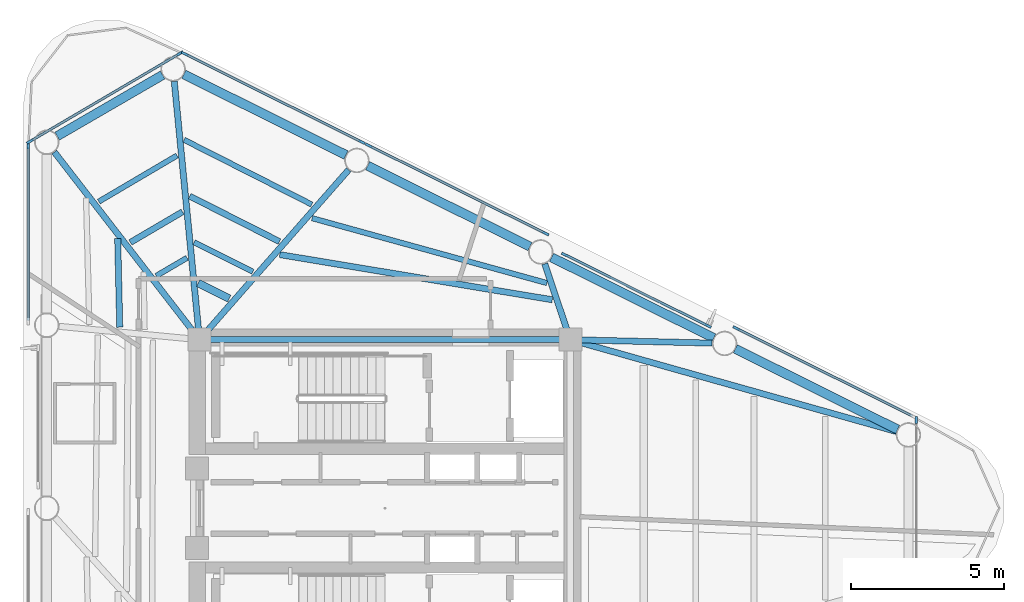
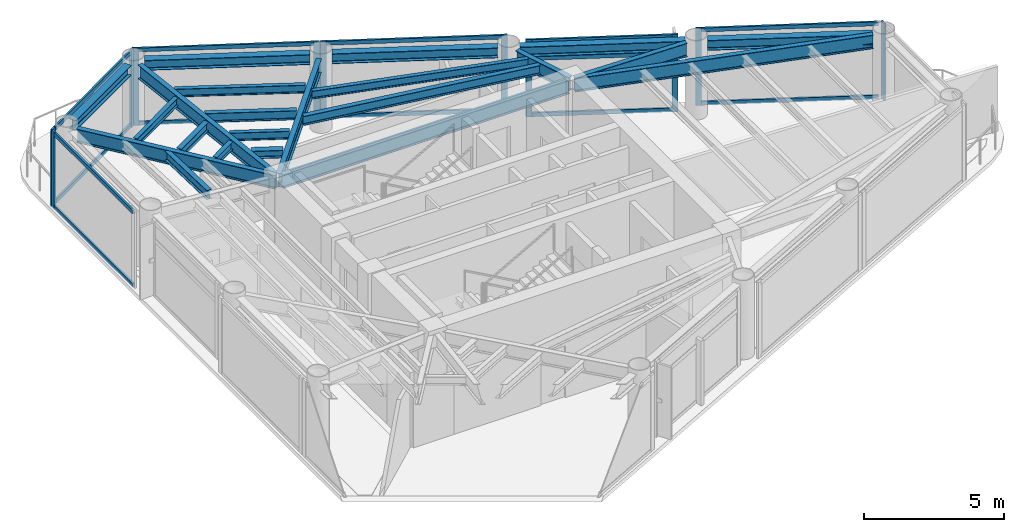
# One storey, part 3 of 10: 24 members, 22 beams, 7 elements without a shape of their own.
"""IFC4 building model written with IfcOpenShell, lengths in metres."""

from ifc_helpers import new_model, si_unit, direction, frame, origin, origin_2d, place, context, subcontext, project, spatial, rectangle, i_section, extrude, source, transform, mapped, material, layer, layer_set, material_profile, profile_set, type_object, element, aggregate, save


model = new_model("IFC4")

# Units and contexts
model_context = context("Model", 3, precision=1e-05, world=origin(), true_north=direction((0.0, 1.0)))
body_context = subcontext(model_context, "Body", "Model", "MODEL_VIEW")
ifc_project = project(units=[si_unit("LENGTHUNIT", "METRE"), si_unit("AREAUNIT", "SQUARE_METRE"), si_unit("VOLUMEUNIT", "CUBIC_METRE"), si_unit("PLANEANGLEUNIT", "RADIAN"), si_unit("MASSUNIT", "GRAM", prefix="KILO")], contexts=[model_context])

# Site, building, storey
site_placement = place(None, origin())
site = spatial("IfcSite", under=ifc_project, at=site_placement, CompositionType="ELEMENT")
building_placement = place(site_placement, origin())
building = spatial("IfcBuilding", under=site, at=building_placement, Name="Yunling Apex Tower", CompositionType="ELEMENT")
storey_placement = place(building_placement, frame((0.0, 0.0, 289.85009765625)))
storey = spatial("IfcBuildingStorey", under=building, at=storey_placement, Name="L70", CompositionType="ELEMENT", Elevation=289.85009765625)

# Beams
ifc_material_1 = material(Name="Steel Q355B", Category="steel")
ifc_material_profile_1 = material_profile(ifc_material_1, i_section(OverallWidth=0.199951171875, OverallDepth=0.60009765625, WebThickness=0.010986328125, FlangeThickness=0.01708984375, FilletRadius=0.02197265625, at=origin_2d()))
ifc_profile_set_1 = profile_set([ifc_material_profile_1], Name="Steel Q355B")
beam_type_1 = type_object("IfcBeamType", Name="BG-PRI-5", PredefinedType="USERDEFINED", material=ifc_profile_set_1)
shared_shape_1 = source(origin(), body_context, "Body", "SweptSolid", [
    extrude(i_section(OverallWidth=0.199951171875, OverallDepth=0.60009765625, WebThickness=0.010986328125, FlangeThickness=0.01708984375, FilletRadius=0.02197265625, at=origin_2d()), origin(), (0.0, 0.0, 1.0), 11.7998046875),
])
beam_1_placement = place(storey_placement, frame((5.89990234375, 5.5, 2.969970703125), z_axis=(-1.0, 0.0, 0.0), x_axis=(0.0, -1.0, 0.0)))
element("IfcBeam", 1, at=beam_1_placement, inside=storey, type_object=beam_type_1, Name="L70 Core Ring Tie Beam 3", ObjectType="GIRDER", PredefinedType="USERDEFINED", context=body_context, shape_type="MappedRepresentation", body=[
    mapped(shared_shape_1, transform((0.0, 0.0, 0.0), scale=1.0)),
])
ifc_material_profile_2 = material_profile(ifc_material_1, i_section(OverallWidth=0.300048828125, OverallDepth=0.43994140625, WebThickness=0.010986328125, FlangeThickness=0.01806640625, FilletRadius=0.02197265625, at=origin_2d()))
ifc_profile_set_2 = profile_set([ifc_material_profile_2], Name="Steel Q355B")
beam_type_2 = type_object("IfcBeamType", Name="BP-SPN-3", PredefinedType="SPANDREL", material=ifc_profile_set_2)
shared_shape_2 = source(origin(), body_context, "Body", "SweptSolid", [
    extrude(i_section(OverallWidth=0.300048828125, OverallDepth=0.43994140625, WebThickness=0.010986328125, FlangeThickness=0.01806640625, FilletRadius=0.02197265625, at=origin_2d()), origin(), (0.0, 0.0, 1.0), 5.914306640625),
])
for number, where, z_axis, x_axis, name in (
    (2, (4.733642578125, 8.539794921875, 3.0498046875), (-0.895267705164, 0.445528602999, 0.0), (-0.445528602999, -0.895267705164, 0.0), "L70 Perimeter Spandrel Beam 8"),
    (3, (-1.2666015625, 11.52587890625, 3.0498046875), (-0.895243044542, 0.445578153861, 0.0), (-0.445578153861, -0.895243044542, 0.0), "L70 Perimeter Spandrel Beam 9"),
):
    element("IfcBeam", number, at=place(storey_placement, frame(where, z_axis=z_axis, x_axis=x_axis)), inside=storey, type_object=beam_type_2, Name=name, PredefinedType="SPANDREL", context=body_context, shape_type="MappedRepresentation", body=[
        mapped(shared_shape_2, transform((0.0, 0.0, 0.0), scale=1.0)),
    ])
shared_shape_3 = source(origin(), body_context, "Body", "SweptSolid", [
    extrude(i_section(OverallWidth=0.300048828125, OverallDepth=0.43994140625, WebThickness=0.010986328125, FlangeThickness=0.01806640625, FilletRadius=0.02197265625, at=origin_2d()), origin(), (0.0, 0.0, 1.0), 5.9140625),
])
for number, where, z_axis, x_axis, name in (
    (4, (16.73388671875, 2.567138671875, 3.0498046875), (-0.895259510924, 0.445545068539, 0.0), (-0.445545068539, -0.895259510924, 0.0), "L70 Perimeter Spandrel Beam 6"),
    (5, (10.733642578125, 5.553466796875, 3.0498046875), (-0.895259510924, 0.445545068539, 0.0), (-0.445545068539, -0.895259510924, 0.0), "L70 Perimeter Spandrel Beam 7"),
):
    element("IfcBeam", number, at=place(storey_placement, frame(where, z_axis=z_axis, x_axis=x_axis)), inside=storey, type_object=beam_type_2, Name=name, PredefinedType="SPANDREL", context=body_context, shape_type="MappedRepresentation", body=[
        mapped(shared_shape_3, transform((0.0, 0.0, 0.0), scale=1.0)),
    ])
shared_shape_4 = source(origin(), body_context, "Body", "SweptSolid", [
    extrude(i_section(OverallWidth=0.300048828125, OverallDepth=0.43994140625, WebThickness=0.010986328125, FlangeThickness=0.01806640625, FilletRadius=0.02197265625, at=origin_2d()), origin(), (0.0, 0.0, 1.0), 3.978515625),
])
beam_2_placement = place(storey_placement, frame((-7.2548828125, 14.138916015625, 3.0498046875), z_axis=(-0.865064744393, -0.501660231639, 0.0), x_axis=(0.501660231639, -0.865064744393, 0.0)))
element("IfcBeam", 6, at=beam_2_placement, inside=storey, type_object=beam_type_2, Name="L70 Perimeter Spandrel Beam 10", PredefinedType="SPANDREL", context=body_context, shape_type="MappedRepresentation", body=[
    mapped(shared_shape_4, transform((0.0, 0.0, 0.0), scale=1.0)),
])
shared_shape_5 = source(origin(), body_context, "Body", "SweptSolid", [
    extrude(i_section(OverallWidth=0.199951171875, OverallDepth=0.60009765625, WebThickness=0.010986328125, FlangeThickness=0.01708984375, FilletRadius=0.02197265625, at=origin_2d()), origin(), (0.0, 0.0, 1.0), 8.390869140625),
])
beam_3_placement = place(storey_placement, frame((-6.874267578125, 13.9306640625, 2.969970703125), z_axis=(0.097296792844, -0.995255411491, 0.0), x_axis=(0.995255411491, 0.097296792844, 0.0)))
element("IfcBeam", 7, at=beam_3_placement, inside=storey, type_object=beam_type_1, Name="L70 Radial Primary Girder R10", ObjectType="GIRDER", PredefinedType="USERDEFINED", context=body_context, shape_type="MappedRepresentation", body=[
    mapped(shared_shape_5, transform((0.0, 0.0, 0.0), scale=1.0)),
])
shared_shape_6 = source(origin(), body_context, "Body", "SweptSolid", [
    extrude(i_section(OverallWidth=0.199951171875, OverallDepth=0.60009765625, WebThickness=0.010986328125, FlangeThickness=0.01708984375, FilletRadius=0.02197265625, at=origin_2d()), origin(), (0.0, 0.0, 1.0), 7.297119140625),
])
beam_4_placement = place(storey_placement, frame((-1.18310546875, 11.043701171875, 2.969970703125), z_axis=(-0.659747259747, -0.751487560281, 0.0), x_axis=(0.751487560281, -0.659747259747, 0.0)))
element("IfcBeam", 8, at=beam_4_placement, inside=storey, type_object=beam_type_1, Name="L70 Radial Primary Girder R09", ObjectType="GIRDER", PredefinedType="USERDEFINED", context=body_context, shape_type="MappedRepresentation", body=[
    mapped(shared_shape_6, transform((0.0, 0.0, 0.0), scale=1.0)),
])
shared_shape_7 = source(origin(), body_context, "Body", "SweptSolid", [
    extrude(i_section(OverallWidth=0.199951171875, OverallDepth=0.60009765625, WebThickness=0.010986328125, FlangeThickness=0.01708984375, FilletRadius=0.02197265625, at=origin_2d()), origin(), (0.0, 0.0, 1.0), 2.533935546875),
])
beam_5_placement = place(storey_placement, frame((5.21630859375, 7.977294921875, 2.969970703125), z_axis=(0.318914628896, -0.947783445454, 0.0), x_axis=(0.947783445454, 0.318914628896, 0.0)))
element("IfcBeam", 9, at=beam_5_placement, inside=storey, type_object=beam_type_1, Name="L70 Radial Primary Girder R08", ObjectType="GIRDER", PredefinedType="USERDEFINED", context=body_context, shape_type="MappedRepresentation", body=[
    mapped(shared_shape_7, transform((0.0, 0.0, 0.0), scale=1.0)),
])
shared_shape_8 = source(origin(), body_context, "Body", "SweptSolid", [
    extrude(i_section(OverallWidth=0.199951171875, OverallDepth=0.60009765625, WebThickness=0.010986328125, FlangeThickness=0.01708984375, FilletRadius=0.02197265625, at=origin_2d()), origin(), (0.0, 0.0, 1.0), 4.5498046875),
])
beam_6_placement = place(storey_placement, frame((10.678466796875, 5.3876953125, 2.969970703125), z_axis=(-0.999705840498, 0.024253504369, 0.0), x_axis=(-0.024253504369, -0.999705840498, 0.0)))
element("IfcBeam", 10, at=beam_6_placement, inside=storey, type_object=beam_type_1, Name="L70 Radial Primary Girder R07", ObjectType="GIRDER", PredefinedType="USERDEFINED", context=body_context, shape_type="MappedRepresentation", body=[
    mapped(shared_shape_8, transform((0.0, 0.0, 0.0), scale=1.0)),
])
shared_shape_9 = source(origin(), body_context, "Body", "SweptSolid", [
    extrude(i_section(OverallWidth=0.199951171875, OverallDepth=0.60009765625, WebThickness=0.010986328125, FlangeThickness=0.01708984375, FilletRadius=0.02197265625, at=origin_2d()), origin(), (0.0, 0.0, 1.0), 10.97802734375),
])
beam_7_placement = place(storey_placement, frame((16.69384765625, 2.502197265625, 2.969970703125), z_axis=(-0.962552702816, 0.271094622414, 0.0), x_axis=(-0.271094622414, -0.962552702816, 0.0)))
element("IfcBeam", 11, at=beam_7_placement, inside=storey, type_object=beam_type_1, Name="L70 Radial Primary Girder R06", ObjectType="GIRDER", PredefinedType="USERDEFINED", context=body_context, shape_type="MappedRepresentation", body=[
    mapped(shared_shape_9, transform((0.0, 0.0, 0.0), scale=1.0)),
])
shared_shape_10 = source(origin(), body_context, "Body", "SweptSolid", [
    extrude(i_section(OverallWidth=0.199951171875, OverallDepth=0.60009765625, WebThickness=0.010986328125, FlangeThickness=0.01708984375, FilletRadius=0.02197265625, at=origin_2d()), origin(), (0.0, 0.0, 1.0), 7.661376953125),
])
beam_8_placement = place(storey_placement, frame((-10.78759765625, 11.62255859375, 2.969970703125), z_axis=(0.611959789037, -0.790888877531, 0.0), x_axis=(0.790888877531, 0.611959789037, 0.0)))
element("IfcBeam", 12, at=beam_8_placement, inside=storey, type_object=beam_type_1, Name="L70 Radial Primary Girder R11", ObjectType="GIRDER", PredefinedType="USERDEFINED", context=body_context, shape_type="MappedRepresentation", body=[
    mapped(shared_shape_10, transform((0.0, 0.0, 0.0), scale=1.0)),
])
ifc_material_profile_3 = material_profile(ifc_material_1, i_section(OverallWidth=0.199951171875, OverallDepth=0.39990234375, WebThickness=0.008056640625, FlangeThickness=0.012939453125, FilletRadius=0.01611328125, at=origin_2d()))
ifc_profile_set_3 = profile_set([ifc_material_profile_3], Name="Steel Q355B")
beam_type_3 = type_object("IfcBeamType", Name="BS-SEC-4", PredefinedType="BEAM", material=ifc_profile_set_3)
shared_shape_11 = source(origin(), body_context, "Body", "SweptSolid", [
    extrude(i_section(OverallWidth=0.199951171875, OverallDepth=0.39990234375, WebThickness=0.008056640625, FlangeThickness=0.012939453125, FilletRadius=0.01611328125, at=origin_2d()), origin(), (0.0, 0.0, 1.0), 3.281494140625),
])
beam_9_placement = place(storey_placement, frame((-3.444091796875, 8.703125, 3.06982421875), z_axis=(-0.892364297468, 0.451315810275, 0.0), x_axis=(-0.451315810275, -0.892364297468, 0.0)))
element("IfcBeam", 13, at=beam_9_placement, inside=storey, type_object=beam_type_3, Name="L70 Composite Floor Beam BS-9", PredefinedType="BEAM", context=body_context, shape_type="MappedRepresentation", body=[
    mapped(shared_shape_11, transform((0.0, 0.0, 0.0), scale=1.0)),
])
ifc_material_profile_4 = material_profile(ifc_material_1, i_section(OverallWidth=0.175048828125, OverallDepth=0.35009765625, WebThickness=0.007080078125, FlangeThickness=0.010986328125, FilletRadius=0.013916015625, at=origin_2d()))
ifc_profile_set_4 = profile_set([ifc_material_profile_4], Name="Steel Q355B")
beam_type_4 = type_object("IfcBeamType", Name="BJ-JST-1", PredefinedType="JOIST", material=ifc_profile_set_4)
shared_shape_12 = source(origin(), body_context, "Body", "SweptSolid", [
    extrude(i_section(OverallWidth=0.175048828125, OverallDepth=0.35009765625, WebThickness=0.007080078125, FlangeThickness=0.010986328125, FilletRadius=0.013916015625, at=origin_2d()), origin(), (0.0, 0.0, 1.0), 4.67138671875),
])
beam_10_placement = place(storey_placement, frame((-2.385009765625, 9.90966796875, 3.094970703125), z_axis=(-0.892031280848, 0.45197366515, 0.0), x_axis=(-0.45197366515, -0.892031280848, 0.0)))
element("IfcBeam", 14, at=beam_10_placement, inside=storey, type_object=beam_type_4, Name="L70 Composite Floor Joist BJ1-9", PredefinedType="JOIST", context=body_context, shape_type="MappedRepresentation", body=[
    mapped(shared_shape_12, transform((0.0, 0.0, 0.0), scale=1.0)),
])
shared_shape_13 = source(origin(), body_context, "Body", "SweptSolid", [
    extrude(i_section(OverallWidth=0.175048828125, OverallDepth=0.35009765625, WebThickness=0.007080078125, FlangeThickness=0.010986328125, FilletRadius=0.013916015625, at=origin_2d()), origin(), (0.0, 0.0, 1.0), 2.143798828125),
])
beam_11_placement = place(storey_placement, frame((-4.310791015625, 7.7158203125, 3.094970703125), z_axis=(-0.892941835578, 0.45017205408, 0.0), x_axis=(-0.45017205408, -0.892941835578, 0.0)))
element("IfcBeam", 15, at=beam_11_placement, inside=storey, type_object=beam_type_4, Name="L70 Composite Floor Joist BJ3-9", PredefinedType="JOIST", context=body_context, shape_type="MappedRepresentation", body=[
    mapped(shared_shape_13, transform((0.0, 0.0, 0.0), scale=1.0)),
])
ifc_material_profile_5 = material_profile(ifc_material_1, i_section(OverallWidth=0.25, OverallDepth=0.340087890625, WebThickness=0.009033203125, FlangeThickness=0.013916015625, FilletRadius=0.01806640625, at=origin_2d()))
ifc_profile_set_5 = profile_set([ifc_material_profile_5], Name="Steel Q355B")
beam_type_5 = type_object("IfcBeamType", Name="BJ-JST-2", PredefinedType="JOIST", material=ifc_profile_set_5)
shared_shape_14 = source(origin(), body_context, "Body", "SweptSolid", [
    extrude(i_section(OverallWidth=0.25, OverallDepth=0.340087890625, WebThickness=0.009033203125, FlangeThickness=0.013916015625, FilletRadius=0.01806640625, at=origin_2d()), origin(), (0.0, 0.0, 1.0), 1.1328125),
])
beam_12_placement = place(storey_placement, frame((-5.081298828125, 6.838134765625, 3.099853515625), z_axis=(-0.894211562533, 0.447644592765, 0.0), x_axis=(-0.447644592765, -0.894211562533, 0.0)))
element("IfcBeam", 16, at=beam_12_placement, inside=storey, type_object=beam_type_5, Name="L70 Composite Floor Joist BJ2-9", PredefinedType="JOIST", context=body_context, shape_type="MappedRepresentation", body=[
    mapped(shared_shape_14, transform((0.0, 0.0, 0.0), scale=1.0)),
])
shared_shape_15 = source(origin(), body_context, "Body", "SweptSolid", [
    extrude(i_section(OverallWidth=0.199951171875, OverallDepth=0.39990234375, WebThickness=0.008056640625, FlangeThickness=0.012939453125, FilletRadius=0.01611328125, at=origin_2d()), origin(), (0.0, 0.0, 1.0), 9.01611328125),
])
beam_13_placement = place(storey_placement, frame((5.462646484375, 6.802734375, 3.06982421875), z_axis=(-0.986561729833, 0.163388962996, 0.0), x_axis=(-0.163388962996, -0.986561729833, 0.0)))
element("IfcBeam", 17, at=beam_13_placement, inside=storey, type_object=beam_type_3, Name="L70 Composite Floor Beam BS-8", PredefinedType="BEAM", context=body_context, shape_type="MappedRepresentation", body=[
    mapped(shared_shape_15, transform((0.0, 0.0, 0.0), scale=1.0)),
])
shared_shape_16 = source(origin(), body_context, "Body", "SweptSolid", [
    extrude(i_section(OverallWidth=0.175048828125, OverallDepth=0.35009765625, WebThickness=0.007080078125, FlangeThickness=0.010986328125, FilletRadius=0.013916015625, at=origin_2d()), origin(), (0.0, 0.0, 1.0), 7.952392578125),
])
beam_14_placement = place(storey_placement, frame((5.288330078125, 7.34765625, 3.094970703125), z_axis=(-0.963874198485, 0.266357897377, 0.0), x_axis=(-0.266357897377, -0.963874198485, 0.0)))
element("IfcBeam", 18, at=beam_14_placement, inside=storey, type_object=beam_type_4, Name="L70 Composite Floor Joist BJ1-8", PredefinedType="JOIST", context=body_context, shape_type="MappedRepresentation", body=[
    mapped(shared_shape_16, transform((0.0, 0.0, 0.0), scale=1.0)),
])
shared_shape_17 = source(origin(), body_context, "Body", "SweptSolid", [
    extrude(i_section(OverallWidth=0.199951171875, OverallDepth=0.39990234375, WebThickness=0.008056640625, FlangeThickness=0.012939453125, FilletRadius=0.01611328125, at=origin_2d()), origin(), (0.0, 0.0, 1.0), 1.9736328125),
])
beam_15_placement = place(storey_placement, frame((-6.60400390625, 9.674072265625, 3.06982421875), z_axis=(-0.862118606545, -0.506706530694, 0.0), x_axis=(0.506706530694, -0.862118606545, 0.0)))
element("IfcBeam", 19, at=beam_15_placement, inside=storey, type_object=beam_type_3, Name="L70 Composite Floor Beam BS-10", PredefinedType="BEAM", context=body_context, shape_type="MappedRepresentation", body=[
    mapped(shared_shape_17, transform((0.0, 0.0, 0.0), scale=1.0)),
])
shared_shape_18 = source(origin(), body_context, "Body", "SweptSolid", [
    extrude(i_section(OverallWidth=0.175048828125, OverallDepth=0.35009765625, WebThickness=0.007080078125, FlangeThickness=0.010986328125, FilletRadius=0.013916015625, at=origin_2d()), origin(), (0.0, 0.0, 1.0), 2.96337890625),
])
beam_16_placement = place(storey_placement, frame((-6.783447265625, 11.510986328125, 3.094970703125), z_axis=(-0.861658767358, -0.507488097038, 0.0), x_axis=(0.507488097038, -0.861658767358, 0.0)))
element("IfcBeam", 20, at=beam_16_placement, inside=storey, type_object=beam_type_4, Name="L70 Composite Floor Joist BJ1-10", PredefinedType="JOIST", context=body_context, shape_type="MappedRepresentation", body=[
    mapped(shared_shape_18, transform((0.0, 0.0, 0.0), scale=1.0)),
])
shared_shape_19 = source(origin(), body_context, "Body", "SweptSolid", [
    extrude(i_section(OverallWidth=0.175048828125, OverallDepth=0.35009765625, WebThickness=0.007080078125, FlangeThickness=0.010986328125, FilletRadius=0.013916015625, at=origin_2d()), origin(), (0.0, 0.0, 1.0), 1.16357421875),
])
beam_17_placement = place(storey_placement, frame((-6.457275390625, 8.171142578125, 3.094970703125), z_axis=(-0.862833680606, -0.50548792232, 0.0), x_axis=(0.50548792232, -0.862833680606, 0.0)))
element("IfcBeam", 21, at=beam_17_placement, inside=storey, type_object=beam_type_4, Name="L70 Composite Floor Joist BJ3-10", PredefinedType="JOIST", context=body_context, shape_type="MappedRepresentation", body=[
    mapped(shared_shape_19, transform((0.0, 0.0, 0.0), scale=1.0)),
])
shared_shape_20 = source(origin(), body_context, "Body", "SweptSolid", [
    extrude(i_section(OverallWidth=0.199951171875, OverallDepth=0.39990234375, WebThickness=0.008056640625, FlangeThickness=0.012939453125, FilletRadius=0.01611328125, at=origin_2d()), origin(), (0.0, 0.0, 1.0), 2.890869140625),
])
beam_18_placement = place(storey_placement, frame((-8.720947265625, 8.796630859375, 3.06982421875), z_axis=(0.023139604217, -0.999732243512, 0.0), x_axis=(0.999732243512, 0.023139604217, 0.0)))
element("IfcBeam", 22, at=beam_18_placement, inside=storey, type_object=beam_type_3, Name="L70 Composite Floor Beam BS-11", PredefinedType="BEAM", context=body_context, shape_type="MappedRepresentation", body=[
    mapped(shared_shape_20, transform((0.0, 0.0, 0.0), scale=1.0)),
])

# Curtain wall, member
ifc_material_2 = material(Name="Bronze anodised aluminium", Category="aluminium")
ifc_layer = layer(ifc_material_2, 0.219970703125)
ifc_layer_set = layer_set([ifc_layer], Name="Bronze anodised aluminium")
curtain_wall_type = type_object("IfcCurtainWallType", Name="CW-SYS-4", PredefinedType="NOTDEFINED", material=ifc_layer_set)
curtain_wall_1_placement = place(storey_placement, origin())
curtain_wall_1 = element("IfcCurtainWall", 23, at=curtain_wall_1_placement, inside=storey, type_object=curtain_wall_type, Name="CW-L70-CRN1", PredefinedType="NOTDEFINED")
ifc_material_profile_6 = material_profile(ifc_material_2, rectangle(XDim=0.080078125, YDim=0.219970703125, at=origin_2d()))
ifc_profile_set_6 = profile_set([ifc_material_profile_6], Name="Bronze anodised aluminium")
member_type_1 = type_object("IfcMemberType", Name="CW-MUL-4", PredefinedType="MULLION", material=ifc_profile_set_6)
shared_shape_21 = source(origin(), body_context, "Body", "SweptSolid", [
    extrude(rectangle(XDim=0.080078125, YDim=0.219970703125, at=origin_2d()), origin(), (0.0, 0.0, 1.0), 3.369873046875),
])
member_1_placement = place(storey_placement, frame((17.349365234375, 2.879638671875, -0.050048828125), z_axis=(0.0, 0.0, 1.0), x_axis=(-1.0, 0.0, 0.0)))
member_1 = element("IfcMember", 24, at=member_1_placement, type_object=member_type_1, Name="CW-SYS-4 mullion 2", PredefinedType="MULLION", context=body_context, shape_type="MappedRepresentation", body=[
    mapped(shared_shape_21, transform((0.0, 0.0, 0.0), scale=1.0)),
])
aggregate(curtain_wall_1, [member_1])

curtain_wall_2_placement = place(storey_placement, origin())
curtain_wall_2 = element("IfcCurtainWall", 25, at=curtain_wall_2_placement, inside=storey, type_object=curtain_wall_type, Name="CW-L70-F2-B1", PredefinedType="NOTDEFINED")
member_2_placement = place(storey_placement, frame((11.465576171875, 5.870361328125, -0.050048828125), z_axis=(0.0, 0.0, 1.0), x_axis=(-0.445568135078, -0.895248030996, 0.0)))
member_2 = element("IfcMember", 26, at=member_2_placement, type_object=member_type_1, Name="CW-SYS-4 mullion 2", PredefinedType="MULLION", context=body_context, shape_type="MappedRepresentation", body=[
    mapped(shared_shape_21, transform((0.0, 0.0, 0.0), scale=1.0)),
])

# Curtain wall, members
curtain_wall_3_placement = place(storey_placement, origin())
curtain_wall_3 = element("IfcCurtainWall", 27, at=curtain_wall_3_placement, inside=storey, type_object=curtain_wall_type, Name="CW-L70-F2-B2", PredefinedType="NOTDEFINED")
member_3_placement = place(storey_placement, frame((10.544189453125, 5.94921875, -0.050048828125), z_axis=(0.0, 0.0, 1.0), x_axis=(-0.445583360305, -0.895240453185, 0.0)))
member_3 = element("IfcMember", 28, at=member_3_placement, type_object=member_type_1, Name="CW-SYS-4 mullion 1", PredefinedType="MULLION", context=body_context, shape_type="MappedRepresentation", body=[
    mapped(shared_shape_21, transform((0.0, 0.0, 0.0), scale=1.0)),
])
member_4_placement = place(storey_placement, frame((5.869140625, 8.276123046875, -0.050048828125), z_axis=(0.0, 0.0, 1.0), x_axis=(-0.445583360305, -0.895240453185, 0.0)))
member_4 = element("IfcMember", 29, at=member_4_placement, type_object=member_type_1, Name="CW-SYS-4 mullion 2", PredefinedType="MULLION", context=body_context, shape_type="MappedRepresentation", body=[
    mapped(shared_shape_21, transform((0.0, 0.0, 0.0), scale=1.0)),
])

curtain_wall_4_placement = place(storey_placement, origin())
curtain_wall_4 = element("IfcCurtainWall", 30, at=curtain_wall_4_placement, inside=storey, type_object=curtain_wall_type, Name="CW-L70-F2-B3", PredefinedType="NOTDEFINED")
member_5_placement = place(storey_placement, frame((5.250732421875, 8.963623046875, -0.050048828125), z_axis=(0.0, 0.0, 1.0), x_axis=(-0.445562037917, -0.895251065549, 0.0)))
member_5 = element("IfcMember", 31, at=member_5_placement, type_object=member_type_1, Name="CW-SYS-4 mullion 1", PredefinedType="MULLION", context=body_context, shape_type="MappedRepresentation", body=[
    mapped(shared_shape_21, transform((0.0, 0.0, 0.0), scale=1.0)),
])
member_6_placement = place(storey_placement, frame((-0.53466796875, 11.843017578125, -0.050048828125), z_axis=(0.0, 0.0, 1.0), x_axis=(-0.445562037917, -0.895251065549, 0.0)))
member_6 = element("IfcMember", 32, at=member_6_placement, type_object=member_type_1, Name="CW-SYS-4 mullion 2", PredefinedType="MULLION", context=body_context, shape_type="MappedRepresentation", body=[
    mapped(shared_shape_21, transform((0.0, 0.0, 0.0), scale=1.0)),
])

curtain_wall_5_placement = place(storey_placement, origin())
curtain_wall_5 = element("IfcCurtainWall", 33, at=curtain_wall_5_placement, inside=storey, type_object=curtain_wall_type, Name="CW-L70-F2-B4", PredefinedType="NOTDEFINED")
member_7_placement = place(storey_placement, frame((-0.74951171875, 11.949951171875, -0.050048828125), z_axis=(0.0, 0.0, 1.0), x_axis=(-0.445568135078, -0.895248030996, 0.0)))
member_7 = element("IfcMember", 34, at=member_7_placement, type_object=member_type_1, Name="CW-SYS-4 mullion 1", PredefinedType="MULLION", context=body_context, shape_type="MappedRepresentation", body=[
    mapped(shared_shape_21, transform((0.0, 0.0, 0.0), scale=1.0)),
])
member_8_placement = place(storey_placement, frame((-6.534912109375, 14.829345703125, -0.050048828125), z_axis=(0.0, 0.0, 1.0), x_axis=(-0.445568135078, -0.895248030996, 0.0)))
member_8 = element("IfcMember", 35, at=member_8_placement, type_object=member_type_1, Name="CW-SYS-4 mullion 2", PredefinedType="MULLION", context=body_context, shape_type="MappedRepresentation", body=[
    mapped(shared_shape_21, transform((0.0, 0.0, 0.0), scale=1.0)),
])

curtain_wall_6_placement = place(storey_placement, origin())
curtain_wall_6 = element("IfcCurtainWall", 36, at=curtain_wall_6_placement, inside=storey, type_object=curtain_wall_type, Name="CW-L70-CRN2", PredefinedType="NOTDEFINED")
member_9_placement = place(storey_placement, frame((-6.685546875, 14.8447265625, -0.050048828125), z_axis=(0.0, 0.0, 1.0), x_axis=(0.506057076658, -0.862499991399, 0.0)))
member_9 = element("IfcMember", 37, at=member_9_placement, type_object=member_type_1, Name="CW-SYS-4 mullion 1", PredefinedType="MULLION", context=body_context, shape_type="MappedRepresentation", body=[
    mapped(shared_shape_21, transform((0.0, 0.0, 0.0), scale=1.0)),
])
member_10_placement = place(storey_placement, frame((-11.5927734375, 11.965576171875, -0.050048828125), z_axis=(0.0, 0.0, 1.0), x_axis=(0.506057076658, -0.862499991399, 0.0)))
member_10 = element("IfcMember", 38, at=member_10_placement, type_object=member_type_1, Name="CW-SYS-4 mullion 2", PredefinedType="MULLION", context=body_context, shape_type="MappedRepresentation", body=[
    mapped(shared_shape_21, transform((0.0, 0.0, 0.0), scale=1.0)),
])

# Curtain wall, member
curtain_wall_7_placement = place(storey_placement, origin())
curtain_wall_7 = element("IfcCurtainWall", 39, at=curtain_wall_7_placement, inside=storey, type_object=curtain_wall_type, Name="CW-L70-F3-B1", PredefinedType="NOTDEFINED")
member_11_placement = place(storey_placement, frame((-11.647216796875, 11.8251953125, -0.050048828125), z_axis=(0.0, 0.0, 1.0), x_axis=(1.0, 0.0, 0.0)))
member_11 = element("IfcMember", 40, at=member_11_placement, type_object=member_type_1, Name="CW-SYS-4 mullion 1", PredefinedType="MULLION", context=body_context, shape_type="MappedRepresentation", body=[
    mapped(shared_shape_21, transform((0.0, 0.0, 0.0), scale=1.0)),
])

# Member
ifc_material_profile_7 = material_profile(ifc_material_2, rectangle(XDim=0.080078125, YDim=0.169921875, at=origin_2d()))
ifc_profile_set_7 = profile_set([ifc_material_profile_7], Name="Bronze anodised aluminium")
member_type_2 = type_object("IfcMemberType", Name="CW-TRN-4", PredefinedType="USERDEFINED", material=ifc_profile_set_7)
shared_shape_22 = source(origin(), body_context, "Body", "SweptSolid", [
    extrude(rectangle(XDim=0.080078125, YDim=0.169921875, at=origin_2d()), origin(), (0.0, 0.0, 1.0), 6.39013671875),
])
member_12_placement = place(storey_placement, frame((-0.78173828125, 11.966064453125, 0.039794921875), z_axis=(-0.89525092504, 0.445562320238, 0.0), x_axis=(-0.445562320238, -0.89525092504, 0.0)))
member_12 = element("IfcMember", 41, at=member_12_placement, type_object=member_type_2, Name="CW-SYS-4 transom 1.1", ObjectType="TRANSOM", PredefinedType="USERDEFINED", context=body_context, shape_type="MappedRepresentation", body=[
    mapped(shared_shape_22, transform((0.0, 0.0, 0.0), scale=1.0)),
])

member_13_placement = place(storey_placement, frame((-0.78173828125, 11.966064453125, 3.22998046875), z_axis=(-0.89525092504, 0.445562320238, 0.0), x_axis=(-0.445562320238, -0.89525092504, 0.0)))
member_13 = element("IfcMember", 42, at=member_13_placement, type_object=member_type_2, Name="CW-SYS-4 transom 1.2", ObjectType="TRANSOM", PredefinedType="USERDEFINED", context=body_context, shape_type="MappedRepresentation", body=[
    mapped(shared_shape_22, transform((0.0, 0.0, 0.0), scale=1.0)),
])

aggregate(curtain_wall_5, [member_7, member_8, member_12, member_13])

shared_shape_23 = source(origin(), body_context, "Body", "SweptSolid", [
    extrude(rectangle(XDim=0.080078125, YDim=0.169921875, at=origin_2d()), origin(), (0.0, 0.0, 1.0), 6.390380859375),
])
member_14_placement = place(storey_placement, frame((17.21875, 3.007080078125, 0.039794921875), z_axis=(-0.895258509594, 0.445547080565, 0.0), x_axis=(-0.445547080565, -0.895258509594, 0.0)))
member_14 = element("IfcMember", 43, at=member_14_placement, type_object=member_type_2, Name="CW-SYS-4 transom 1.1", ObjectType="TRANSOM", PredefinedType="USERDEFINED", context=body_context, shape_type="MappedRepresentation", body=[
    mapped(shared_shape_23, transform((0.0, 0.0, 0.0), scale=1.0)),
])

member_15_placement = place(storey_placement, frame((17.21875, 3.007080078125, 3.22998046875), z_axis=(-0.895258509594, 0.445547080565, 0.0), x_axis=(-0.445547080565, -0.895258509594, 0.0)))
member_15 = element("IfcMember", 44, at=member_15_placement, type_object=member_type_2, Name="CW-SYS-4 transom 1.2", ObjectType="TRANSOM", PredefinedType="USERDEFINED", context=body_context, shape_type="MappedRepresentation", body=[
    mapped(shared_shape_23, transform((0.0, 0.0, 0.0), scale=1.0)),
])

aggregate(curtain_wall_2, [member_2, member_14, member_15])

member_16_placement = place(storey_placement, frame((5.218505859375, 8.979736328125, 0.039794921875), z_axis=(-0.895243270113, 0.44557770065, 0.0), x_axis=(-0.44557770065, -0.895243270113, 0.0)))
member_16 = element("IfcMember", 45, at=member_16_placement, type_object=member_type_2, Name="CW-SYS-4 transom 1.1", ObjectType="TRANSOM", PredefinedType="USERDEFINED", context=body_context, shape_type="MappedRepresentation", body=[
    mapped(shared_shape_23, transform((0.0, 0.0, 0.0), scale=1.0)),
])

member_17_placement = place(storey_placement, frame((5.218505859375, 8.979736328125, 3.22998046875), z_axis=(-0.895243270113, 0.44557770065, 0.0), x_axis=(-0.44557770065, -0.895243270113, 0.0)))
member_17 = element("IfcMember", 46, at=member_17_placement, type_object=member_type_2, Name="CW-SYS-4 transom 1.2", ObjectType="TRANSOM", PredefinedType="USERDEFINED", context=body_context, shape_type="MappedRepresentation", body=[
    mapped(shared_shape_23, transform((0.0, 0.0, 0.0), scale=1.0)),
])

aggregate(curtain_wall_4, [member_5, member_6, member_16, member_17])

shared_shape_24 = source(origin(), body_context, "Body", "SweptSolid", [
    extrude(rectangle(XDim=0.080078125, YDim=0.169921875, at=origin_2d()), origin(), (0.0, 0.0, 1.0), 5.150146484375),
])
member_18_placement = place(storey_placement, frame((10.511962890625, 5.96533203125, 0.039794921875), z_axis=(-0.895231613188, 0.445601120676, 0.0), x_axis=(-0.445601120676, -0.895231613188, 0.0)))
member_18 = element("IfcMember", 47, at=member_18_placement, type_object=member_type_2, Name="CW-SYS-4 transom 1.1", ObjectType="TRANSOM", PredefinedType="USERDEFINED", context=body_context, shape_type="MappedRepresentation", body=[
    mapped(shared_shape_24, transform((0.0, 0.0, 0.0), scale=1.0)),
])

member_19_placement = place(storey_placement, frame((10.511962890625, 5.96533203125, 2.485107421875), z_axis=(-0.895231613188, 0.445601120676, 0.0), x_axis=(-0.445601120676, -0.895231613188, 0.0)))
member_19 = element("IfcMember", 48, at=member_19_placement, type_object=member_type_2, Name="CW-SYS-4 transom 1.2", ObjectType="TRANSOM", PredefinedType="USERDEFINED", context=body_context, shape_type="MappedRepresentation", body=[
    mapped(shared_shape_24, transform((0.0, 0.0, 0.0), scale=1.0)),
])

member_20_placement = place(storey_placement, frame((10.511962890625, 5.96533203125, 3.22998046875), z_axis=(-0.895231613188, 0.445601120676, 0.0), x_axis=(-0.445601120676, -0.895231613188, 0.0)))
member_20 = element("IfcMember", 49, at=member_20_placement, type_object=member_type_2, Name="CW-SYS-4 transom 1.3", ObjectType="TRANSOM", PredefinedType="USERDEFINED", context=body_context, shape_type="MappedRepresentation", body=[
    mapped(shared_shape_24, transform((0.0, 0.0, 0.0), scale=1.0)),
])

aggregate(curtain_wall_3, [member_3, member_4, member_18, member_19, member_20])

shared_shape_25 = source(origin(), body_context, "Body", "SweptSolid", [
    extrude(rectangle(XDim=0.080078125, YDim=0.169921875, at=origin_2d()), origin(), (0.0, 0.0, 1.0), 5.61767578125),
])
member_21_placement = place(storey_placement, frame((-6.716552734375, 14.82666015625, 0.039794921875), z_axis=(-0.862486715055, -0.506079703558, 0.0), x_axis=(0.506079703558, -0.862486715055, 0.0)))
member_21 = element("IfcMember", 50, at=member_21_placement, type_object=member_type_2, Name="CW-SYS-4 transom 1.1", ObjectType="TRANSOM", PredefinedType="USERDEFINED", context=body_context, shape_type="MappedRepresentation", body=[
    mapped(shared_shape_25, transform((0.0, 0.0, 0.0), scale=1.0)),
])

member_22_placement = place(storey_placement, frame((-6.716552734375, 14.82666015625, 3.22998046875), z_axis=(-0.862486715055, -0.506079703558, 0.0), x_axis=(0.506079703558, -0.862486715055, 0.0)))
member_22 = element("IfcMember", 51, at=member_22_placement, type_object=member_type_2, Name="CW-SYS-4 transom 1.2", ObjectType="TRANSOM", PredefinedType="USERDEFINED", context=body_context, shape_type="MappedRepresentation", body=[
    mapped(shared_shape_25, transform((0.0, 0.0, 0.0), scale=1.0)),
])

aggregate(curtain_wall_6, [member_9, member_10, member_21, member_22])

shared_shape_26 = source(origin(), body_context, "Body", "SweptSolid", [
    extrude(rectangle(XDim=0.080078125, YDim=0.169921875, at=origin_2d()), origin(), (0.0, 0.0, 1.0), 5.66064453125),
])
member_23_placement = place(storey_placement, frame((-11.647216796875, 11.789306640625, 0.039794921875), z_axis=(0.0, -1.0, 0.0), x_axis=(1.0, 0.0, 0.0)))
member_23 = element("IfcMember", 52, at=member_23_placement, type_object=member_type_2, Name="CW-SYS-4 transom 1.1", ObjectType="TRANSOM", PredefinedType="USERDEFINED", context=body_context, shape_type="MappedRepresentation", body=[
    mapped(shared_shape_26, transform((0.0, 0.0, 0.0), scale=1.0)),
])

member_24_placement = place(storey_placement, frame((-11.647216796875, 11.789306640625, 3.22998046875), z_axis=(0.0, -1.0, 0.0), x_axis=(1.0, 0.0, 0.0)))
member_24 = element("IfcMember", 53, at=member_24_placement, type_object=member_type_2, Name="CW-SYS-4 transom 1.2", ObjectType="TRANSOM", PredefinedType="USERDEFINED", context=body_context, shape_type="MappedRepresentation", body=[
    mapped(shared_shape_26, transform((0.0, 0.0, 0.0), scale=1.0)),
])

aggregate(curtain_wall_7, [member_11, member_23, member_24])

save(model, "model.ifc")
